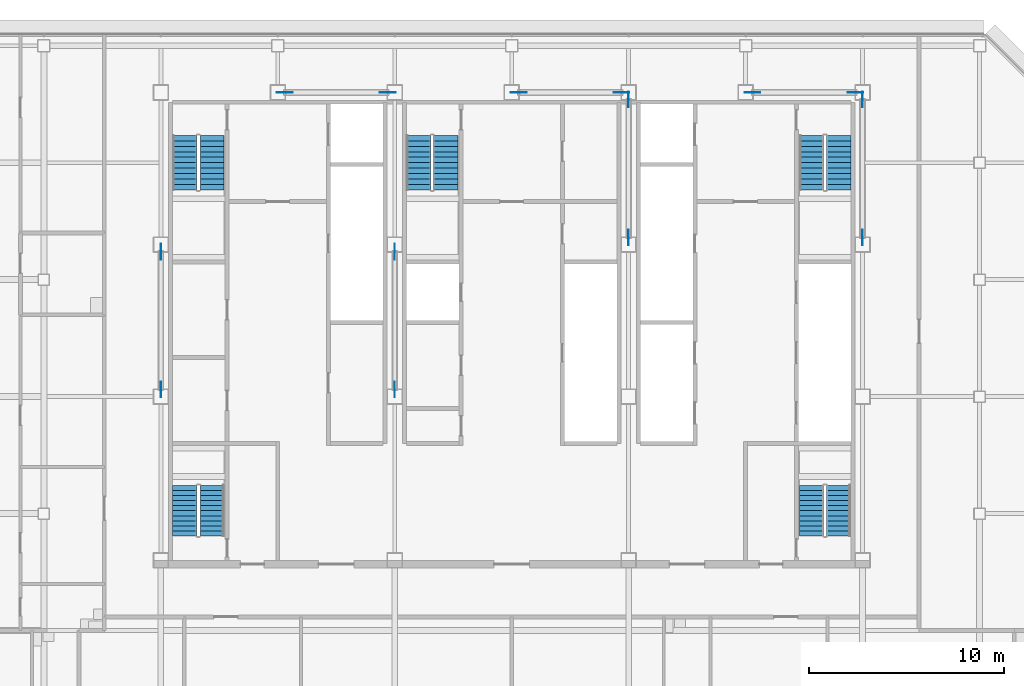
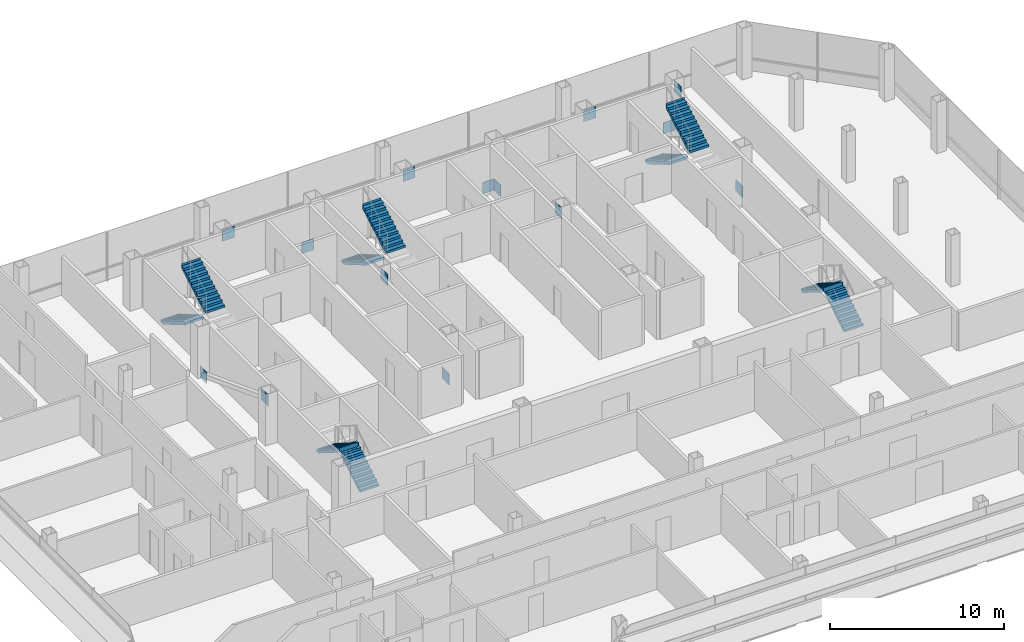
# One storey, part 24 of 26: 14 discrete accessories, 10 stair flights, 5 elements without a shape of their own.
"""IFC4 building model written with IfcOpenShell, lengths in metres."""

from ifc_helpers import new_model, si_unit, direction, frame, origin, origin_2d, place, context, subcontext, project, spatial, polyline, rectangle, outline, extrude, material, layer, layer_set, type_object, element, aggregate, save


model = new_model("IFC4")

# Units and contexts
model_context = context("Model", 3, precision=1e-05, world=origin(), true_north=direction((0.0, 1.0)))
body_context = subcontext(model_context, "Body", "Model", "MODEL_VIEW")
ifc_project = project(units=[si_unit("LENGTHUNIT", "METRE"), si_unit("AREAUNIT", "SQUARE_METRE"), si_unit("VOLUMEUNIT", "CUBIC_METRE"), si_unit("PLANEANGLEUNIT", "RADIAN"), si_unit("MASSUNIT", "GRAM", prefix="KILO")], contexts=[model_context])

# Site, building, storey
site_placement = place(None, origin())
site = spatial("IfcSite", under=ifc_project, at=site_placement, CompositionType="ELEMENT")
building_placement = place(site_placement, origin())
building = spatial("IfcBuilding", under=site, at=building_placement, Name="Sorahane Residences", CompositionType="ELEMENT")
storey_placement = place(building_placement, frame((0.0, 0.0, 219.0)))
storey = spatial("IfcBuildingStorey", under=building, at=storey_placement, Name="L51", CompositionType="ELEMENT", Elevation=219.0)

# Stair, stair flights
ifc_material_1 = material(Name="Concrete C40", Category="concrete")
stair_type = type_object("IfcStairType", Name="Dog-leg stair 1250 Concrete C40", PredefinedType="HALF_TURN_STAIR", material=ifc_material_1)
stair_1_placement = place(storey_placement, origin())
stair_1 = element("IfcStair", 1, at=stair_1_placement, inside=storey, type_object=stair_type, Name="L51 Stair S1", PredefinedType="HALF_TURN_STAIR")
ifc_material_2 = material(Name="Concrete C40", Category="concrete")
stair_flight_type = type_object("IfcStairFlightType", Name="Stair flight 1250 Concrete C40", PredefinedType="STRAIGHT", material=ifc_material_2)
stair_flight_1_placement = place(storey_placement, frame((7.22509765625, 43.39990234375, 0.0), z_axis=(0.0, 0.0, 1.0), x_axis=(0.0, -1.0, 0.0)))
stair_flight_1 = element("IfcStairFlight", 2, at=stair_flight_1_placement, type_object=stair_flight_type, Name="S1 flight 1", NumberOfRisers=11, NumberOfTreads=10, PredefinedType="STRAIGHT", RiserHeight=0.163636364, TreadLength=0.28, context=body_context, shape_type="SweptSolid", body=[
    extrude(outline(polyline([(-0.00146484375, 0.0), (-0.00146484375, 0.16357421875), (0.0, 0.16357421875), (0.280029296875, 0.16357421875), (0.280029296875, 0.327392578125), (0.56005859375, 0.327392578125), (0.56005859375, 0.490966796875), (0.840087890625, 0.490966796875), (0.840087890625, 0.654541015625), (1.1201171875, 0.654541015625), (1.1201171875, 0.818115234375), (1.39990234375, 0.818115234375), (1.39990234375, 0.98193359375), (1.679931640625, 0.98193359375), (1.679931640625, 1.1455078125), (1.9599609375, 1.1455078125), (1.9599609375, 1.30908203125), (2.239990234375, 1.30908203125), (2.239990234375, 1.47265625), (2.52001953125, 1.47265625), (2.52001953125, 1.636474609375), (2.800048828125, 1.636474609375), (2.800048828125, 1.800048828125), (2.800048828125, 1.462646484375), (2.59130859375, 1.3408203125), (2.3828125, 1.218994140625), (2.17431640625, 1.09716796875), (1.965576171875, 0.97509765625), (1.757080078125, 0.853271484375), (1.548583984375, 0.7314453125), (1.340087890625, 0.609375), (1.13134765625, 0.487548828125), (0.9228515625, 0.36572265625), (0.71435546875, 0.243896484375), (0.505615234375, 0.121826171875), (0.297119140625, 0.0), (-0.00146484375, 0.0)])), frame((0.0, 0.625, 0.0), z_axis=(0.0, -1.0, 0.0), x_axis=(1.0, 0.0, 0.0)), (0.0, 0.0, 1.0), 1.25),
])
stair_flight_2_placement = place(storey_placement, frame((8.625, 40.60009765625, 1.800048828125), z_axis=(0.0, 0.0, 1.0), x_axis=(0.0, 1.0, 0.0)))
stair_flight_2 = element("IfcStairFlight", 3, at=stair_flight_2_placement, type_object=stair_flight_type, Name="S1 flight 2", NumberOfRisers=11, NumberOfTreads=10, PredefinedType="STRAIGHT", RiserHeight=0.163636364, TreadLength=0.28, context=body_context, shape_type="SweptSolid", body=[
    extrude(outline(polyline([(0.0, 0.0), (0.0, 0.16357421875), (0.280029296875, 0.16357421875), (0.280029296875, 0.327392578125), (0.56005859375, 0.327392578125), (0.56005859375, 0.490966796875), (0.840087890625, 0.490966796875), (0.840087890625, 0.654541015625), (1.1201171875, 0.654541015625), (1.1201171875, 0.818115234375), (1.39990234375, 0.818115234375), (1.39990234375, 0.98193359375), (1.679931640625, 0.98193359375), (1.679931640625, 1.1455078125), (1.9599609375, 1.1455078125), (1.9599609375, 1.30908203125), (2.239990234375, 1.30908203125), (2.239990234375, 1.47265625), (2.52001953125, 1.47265625), (2.52001953125, 1.636474609375), (2.800048828125, 1.636474609375), (2.800048828125, 1.800048828125), (2.801513671875, 1.800048828125), (2.801513671875, 1.462646484375), (2.5927734375, 1.3408203125), (2.384033203125, 1.218994140625), (2.17529296875, 1.09716796875), (1.966796875, 0.97509765625), (1.758056640625, 0.853271484375), (1.54931640625, 0.7314453125), (1.340576171875, 0.609375), (1.1318359375, 0.487548828125), (0.923095703125, 0.36572265625), (0.714599609375, 0.243896484375), (0.505859375, 0.121826171875), (0.297119140625, 0.0), (0.0, 0.0)])), frame((0.0, 0.625, 0.0), z_axis=(0.0, -1.0, 0.0), x_axis=(1.0, 0.0, 0.0)), (0.0, 0.0, 1.0), 1.25),
])
aggregate(stair_1, [stair_flight_1, stair_flight_2])

stair_2_placement = place(storey_placement, origin())
stair_2 = element("IfcStair", 4, at=stair_2_placement, inside=storey, type_object=stair_type, Name="L51 Stair S2", PredefinedType="HALF_TURN_STAIR")
stair_flight_3_placement = place(storey_placement, frame((39.375, 43.39990234375, 0.0), z_axis=(0.0, 0.0, 1.0), x_axis=(0.0, -1.0, 0.0)))
stair_flight_3 = element("IfcStairFlight", 5, at=stair_flight_3_placement, type_object=stair_flight_type, Name="S2 flight 1", NumberOfRisers=11, NumberOfTreads=10, PredefinedType="STRAIGHT", RiserHeight=0.163636364, TreadLength=0.28, context=body_context, shape_type="SweptSolid", body=[
    extrude(outline(polyline([(-0.00146484375, 0.0), (-0.00146484375, 0.16357421875), (0.0, 0.16357421875), (0.280029296875, 0.16357421875), (0.280029296875, 0.327392578125), (0.56005859375, 0.327392578125), (0.56005859375, 0.490966796875), (0.840087890625, 0.490966796875), (0.840087890625, 0.654541015625), (1.1201171875, 0.654541015625), (1.1201171875, 0.818115234375), (1.39990234375, 0.818115234375), (1.39990234375, 0.98193359375), (1.679931640625, 0.98193359375), (1.679931640625, 1.1455078125), (1.9599609375, 1.1455078125), (1.9599609375, 1.30908203125), (2.239990234375, 1.30908203125), (2.239990234375, 1.47265625), (2.52001953125, 1.47265625), (2.52001953125, 1.636474609375), (2.800048828125, 1.636474609375), (2.800048828125, 1.800048828125), (2.800048828125, 1.462646484375), (2.59130859375, 1.3408203125), (2.3828125, 1.218994140625), (2.17431640625, 1.09716796875), (1.965576171875, 0.97509765625), (1.757080078125, 0.853271484375), (1.548583984375, 0.7314453125), (1.340087890625, 0.609375), (1.13134765625, 0.487548828125), (0.9228515625, 0.36572265625), (0.71435546875, 0.243896484375), (0.505615234375, 0.121826171875), (0.297119140625, 0.0), (-0.00146484375, 0.0)])), frame((0.0, 0.625, 0.0), z_axis=(0.0, -1.0, 0.0), x_axis=(1.0, 0.0, 0.0)), (0.0, 0.0, 1.0), 1.25),
])
stair_flight_4_placement = place(storey_placement, frame((40.77490234375, 40.60009765625, 1.800048828125), z_axis=(0.0, 0.0, 1.0), x_axis=(0.0, 1.0, 0.0)))
stair_flight_4 = element("IfcStairFlight", 6, at=stair_flight_4_placement, type_object=stair_flight_type, Name="S2 flight 2", NumberOfRisers=11, NumberOfTreads=10, PredefinedType="STRAIGHT", RiserHeight=0.163636364, TreadLength=0.28, context=body_context, shape_type="SweptSolid", body=[
    extrude(outline(polyline([(0.0, 0.0), (0.0, 0.16357421875), (0.280029296875, 0.16357421875), (0.280029296875, 0.327392578125), (0.56005859375, 0.327392578125), (0.56005859375, 0.490966796875), (0.840087890625, 0.490966796875), (0.840087890625, 0.654541015625), (1.1201171875, 0.654541015625), (1.1201171875, 0.818115234375), (1.39990234375, 0.818115234375), (1.39990234375, 0.98193359375), (1.679931640625, 0.98193359375), (1.679931640625, 1.1455078125), (1.9599609375, 1.1455078125), (1.9599609375, 1.30908203125), (2.239990234375, 1.30908203125), (2.239990234375, 1.47265625), (2.52001953125, 1.47265625), (2.52001953125, 1.636474609375), (2.800048828125, 1.636474609375), (2.800048828125, 1.800048828125), (2.801513671875, 1.800048828125), (2.801513671875, 1.462646484375), (2.5927734375, 1.3408203125), (2.384033203125, 1.218994140625), (2.17529296875, 1.09716796875), (1.966796875, 0.97509765625), (1.758056640625, 0.853271484375), (1.54931640625, 0.7314453125), (1.340576171875, 0.609375), (1.1318359375, 0.487548828125), (0.923095703125, 0.36572265625), (0.714599609375, 0.243896484375), (0.505859375, 0.121826171875), (0.297119140625, 0.0), (0.0, 0.0)])), frame((0.0, 0.625, 0.0), z_axis=(0.0, -1.0, 0.0), x_axis=(1.0, 0.0, 0.0)), (0.0, 0.0, 1.0), 1.25),
])
aggregate(stair_2, [stair_flight_3, stair_flight_4])

stair_3_placement = place(storey_placement, origin())
stair_3 = element("IfcStair", 7, at=stair_3_placement, inside=storey, type_object=stair_type, Name="L51 Stair S3", PredefinedType="HALF_TURN_STAIR")
stair_flight_5_placement = place(storey_placement, frame((19.22509765625, 43.39990234375, 0.0), z_axis=(0.0, 0.0, 1.0), x_axis=(0.0, -1.0, 0.0)))
stair_flight_5 = element("IfcStairFlight", 8, at=stair_flight_5_placement, type_object=stair_flight_type, Name="S3 flight 1", NumberOfRisers=11, NumberOfTreads=10, PredefinedType="STRAIGHT", RiserHeight=0.163636364, TreadLength=0.28, context=body_context, shape_type="SweptSolid", body=[
    extrude(outline(polyline([(-0.00146484375, 0.0), (-0.00146484375, 0.16357421875), (0.0, 0.16357421875), (0.280029296875, 0.16357421875), (0.280029296875, 0.327392578125), (0.56005859375, 0.327392578125), (0.56005859375, 0.490966796875), (0.840087890625, 0.490966796875), (0.840087890625, 0.654541015625), (1.1201171875, 0.654541015625), (1.1201171875, 0.818115234375), (1.39990234375, 0.818115234375), (1.39990234375, 0.98193359375), (1.679931640625, 0.98193359375), (1.679931640625, 1.1455078125), (1.9599609375, 1.1455078125), (1.9599609375, 1.30908203125), (2.239990234375, 1.30908203125), (2.239990234375, 1.47265625), (2.52001953125, 1.47265625), (2.52001953125, 1.636474609375), (2.800048828125, 1.636474609375), (2.800048828125, 1.800048828125), (2.800048828125, 1.462646484375), (2.59130859375, 1.3408203125), (2.3828125, 1.218994140625), (2.17431640625, 1.09716796875), (1.965576171875, 0.97509765625), (1.757080078125, 0.853271484375), (1.548583984375, 0.7314453125), (1.340087890625, 0.609375), (1.13134765625, 0.487548828125), (0.9228515625, 0.36572265625), (0.71435546875, 0.243896484375), (0.505615234375, 0.121826171875), (0.297119140625, 0.0), (-0.00146484375, 0.0)])), frame((0.0, 0.625, 0.0), z_axis=(0.0, -1.0, 0.0), x_axis=(1.0, 0.0, 0.0)), (0.0, 0.0, 1.0), 1.25),
])
stair_flight_6_placement = place(storey_placement, frame((20.625, 40.60009765625, 1.800048828125), z_axis=(0.0, 0.0, 1.0), x_axis=(0.0, 1.0, 0.0)))
stair_flight_6 = element("IfcStairFlight", 9, at=stair_flight_6_placement, type_object=stair_flight_type, Name="S3 flight 2", NumberOfRisers=11, NumberOfTreads=10, PredefinedType="STRAIGHT", RiserHeight=0.163636364, TreadLength=0.28, context=body_context, shape_type="SweptSolid", body=[
    extrude(outline(polyline([(0.0, 0.0), (0.0, 0.16357421875), (0.280029296875, 0.16357421875), (0.280029296875, 0.327392578125), (0.56005859375, 0.327392578125), (0.56005859375, 0.490966796875), (0.840087890625, 0.490966796875), (0.840087890625, 0.654541015625), (1.1201171875, 0.654541015625), (1.1201171875, 0.818115234375), (1.39990234375, 0.818115234375), (1.39990234375, 0.98193359375), (1.679931640625, 0.98193359375), (1.679931640625, 1.1455078125), (1.9599609375, 1.1455078125), (1.9599609375, 1.30908203125), (2.239990234375, 1.30908203125), (2.239990234375, 1.47265625), (2.52001953125, 1.47265625), (2.52001953125, 1.636474609375), (2.800048828125, 1.636474609375), (2.800048828125, 1.800048828125), (2.801513671875, 1.800048828125), (2.801513671875, 1.462646484375), (2.5927734375, 1.3408203125), (2.384033203125, 1.218994140625), (2.17529296875, 1.09716796875), (1.966796875, 0.97509765625), (1.758056640625, 0.853271484375), (1.54931640625, 0.7314453125), (1.340576171875, 0.609375), (1.1318359375, 0.487548828125), (0.923095703125, 0.36572265625), (0.714599609375, 0.243896484375), (0.505859375, 0.121826171875), (0.297119140625, 0.0), (0.0, 0.0)])), frame((0.0, 0.625, 0.0), z_axis=(0.0, -1.0, 0.0), x_axis=(1.0, 0.0, 0.0)), (0.0, 0.0, 1.0), 1.25),
])
aggregate(stair_3, [stair_flight_5, stair_flight_6])

stair_4_placement = place(storey_placement, origin())
stair_4 = element("IfcStair", 10, at=stair_4_placement, inside=storey, type_object=stair_type, Name="L51 Stair S4", PredefinedType="HALF_TURN_STAIR")
stair_flight_7_placement = place(storey_placement, frame((8.625, 22.85009765625, 0.0), z_axis=(0.0, 0.0, 1.0), x_axis=(0.0, 1.0, 0.0)))
stair_flight_7 = element("IfcStairFlight", 11, at=stair_flight_7_placement, type_object=stair_flight_type, Name="S4 flight 1", NumberOfRisers=11, NumberOfTreads=10, PredefinedType="STRAIGHT", RiserHeight=0.163636364, TreadLength=0.26, context=body_context, shape_type="SweptSolid", body=[
    extrude(outline(polyline([(-0.00146484375, 0.0), (-0.00146484375, 0.16357421875), (0.0, 0.16357421875), (0.260009765625, 0.16357421875), (0.260009765625, 0.327392578125), (0.52001953125, 0.327392578125), (0.52001953125, 0.490966796875), (0.780029296875, 0.490966796875), (0.780029296875, 0.654541015625), (1.0400390625, 0.654541015625), (1.0400390625, 0.818115234375), (1.300048828125, 0.818115234375), (1.300048828125, 0.98193359375), (1.56005859375, 0.98193359375), (1.56005859375, 1.1455078125), (1.820068359375, 1.1455078125), (1.820068359375, 1.30908203125), (2.080078125, 1.30908203125), (2.080078125, 1.47265625), (2.340087890625, 1.47265625), (2.340087890625, 1.636474609375), (2.60009765625, 1.636474609375), (2.60009765625, 1.800048828125), (2.60009765625, 1.494384765625), (2.402099609375, 1.369873046875), (2.204345703125, 1.245361328125), (2.00634765625, 1.120849609375), (1.80859375, 0.996337890625), (1.610595703125, 0.871826171875), (1.412841796875, 0.747314453125), (1.21484375, 0.622802734375), (1.01708984375, 0.498046875), (0.819091796875, 0.37353515625), (0.621337890625, 0.2490234375), (0.42333984375, 0.12451171875), (0.2255859375, 0.0), (-0.00146484375, 0.0)])), frame((0.0, 0.625, 0.0), z_axis=(0.0, -1.0, 0.0), x_axis=(1.0, 0.0, 0.0)), (0.0, 0.0, 1.0), 1.25),
])
stair_flight_8_placement = place(storey_placement, frame((7.22509765625, 25.449951171875, 1.800048828125), z_axis=(0.0, 0.0, 1.0), x_axis=(0.0, -1.0, 0.0)))
stair_flight_8 = element("IfcStairFlight", 12, at=stair_flight_8_placement, type_object=stair_flight_type, Name="S4 flight 2", NumberOfRisers=11, NumberOfTreads=10, PredefinedType="STRAIGHT", RiserHeight=0.163636364, TreadLength=0.26, context=body_context, shape_type="SweptSolid", body=[
    extrude(outline(polyline([(0.0, 0.0), (0.0, 0.16357421875), (0.260009765625, 0.16357421875), (0.260009765625, 0.327392578125), (0.52001953125, 0.327392578125), (0.52001953125, 0.490966796875), (0.780029296875, 0.490966796875), (0.780029296875, 0.654541015625), (1.0400390625, 0.654541015625), (1.0400390625, 0.818115234375), (1.300048828125, 0.818115234375), (1.300048828125, 0.98193359375), (1.56005859375, 0.98193359375), (1.56005859375, 1.1455078125), (1.820068359375, 1.1455078125), (1.820068359375, 1.30908203125), (2.080078125, 1.30908203125), (2.080078125, 1.47265625), (2.340087890625, 1.47265625), (2.340087890625, 1.636474609375), (2.60009765625, 1.636474609375), (2.60009765625, 1.800048828125), (2.6015625, 1.800048828125), (2.6015625, 1.494384765625), (2.403564453125, 1.369873046875), (2.20556640625, 1.245361328125), (2.007568359375, 1.120849609375), (1.8095703125, 0.996337890625), (1.611572265625, 0.871826171875), (1.41357421875, 0.747314453125), (1.215576171875, 0.622802734375), (1.017578125, 0.498046875), (0.819580078125, 0.37353515625), (0.62158203125, 0.2490234375), (0.423583984375, 0.12451171875), (0.2255859375, 0.0), (0.0, 0.0)])), frame((0.0, 0.625, 0.0), z_axis=(0.0, -1.0, 0.0), x_axis=(1.0, 0.0, 0.0)), (0.0, 0.0, 1.0), 1.25),
])
aggregate(stair_4, [stair_flight_7, stair_flight_8])

stair_5_placement = place(storey_placement, origin())
stair_5 = element("IfcStair", 13, at=stair_5_placement, inside=storey, type_object=stair_type, Name="L51 Stair S5", PredefinedType="HALF_TURN_STAIR")
stair_flight_9_placement = place(storey_placement, frame((40.77490234375, 22.85009765625, 0.0), z_axis=(0.0, 0.0, 1.0), x_axis=(0.0, 1.0, 0.0)))
stair_flight_9 = element("IfcStairFlight", 14, at=stair_flight_9_placement, type_object=stair_flight_type, Name="S5 flight 1", NumberOfRisers=11, NumberOfTreads=10, PredefinedType="STRAIGHT", RiserHeight=0.163636364, TreadLength=0.26, context=body_context, shape_type="SweptSolid", body=[
    extrude(outline(polyline([(-0.00146484375, 0.0), (-0.00146484375, 0.16357421875), (0.0, 0.16357421875), (0.260009765625, 0.16357421875), (0.260009765625, 0.327392578125), (0.52001953125, 0.327392578125), (0.52001953125, 0.490966796875), (0.780029296875, 0.490966796875), (0.780029296875, 0.654541015625), (1.0400390625, 0.654541015625), (1.0400390625, 0.818115234375), (1.300048828125, 0.818115234375), (1.300048828125, 0.98193359375), (1.56005859375, 0.98193359375), (1.56005859375, 1.1455078125), (1.820068359375, 1.1455078125), (1.820068359375, 1.30908203125), (2.080078125, 1.30908203125), (2.080078125, 1.47265625), (2.340087890625, 1.47265625), (2.340087890625, 1.636474609375), (2.60009765625, 1.636474609375), (2.60009765625, 1.800048828125), (2.60009765625, 1.494384765625), (2.402099609375, 1.369873046875), (2.204345703125, 1.245361328125), (2.00634765625, 1.120849609375), (1.80859375, 0.996337890625), (1.610595703125, 0.871826171875), (1.412841796875, 0.747314453125), (1.21484375, 0.622802734375), (1.01708984375, 0.498046875), (0.819091796875, 0.37353515625), (0.621337890625, 0.2490234375), (0.42333984375, 0.12451171875), (0.2255859375, 0.0), (-0.00146484375, 0.0)])), frame((0.0, 0.625, 0.0), z_axis=(0.0, -1.0, 0.0), x_axis=(1.0, 0.0, 0.0)), (0.0, 0.0, 1.0), 1.25),
])
stair_flight_10_placement = place(storey_placement, frame((39.375, 25.449951171875, 1.800048828125), z_axis=(0.0, 0.0, 1.0), x_axis=(0.0, -1.0, 0.0)))
stair_flight_10 = element("IfcStairFlight", 15, at=stair_flight_10_placement, type_object=stair_flight_type, Name="S5 flight 2", NumberOfRisers=11, NumberOfTreads=10, PredefinedType="STRAIGHT", RiserHeight=0.163636364, TreadLength=0.26, context=body_context, shape_type="SweptSolid", body=[
    extrude(outline(polyline([(0.0, 0.0), (0.0, 0.16357421875), (0.260009765625, 0.16357421875), (0.260009765625, 0.327392578125), (0.52001953125, 0.327392578125), (0.52001953125, 0.490966796875), (0.780029296875, 0.490966796875), (0.780029296875, 0.654541015625), (1.0400390625, 0.654541015625), (1.0400390625, 0.818115234375), (1.300048828125, 0.818115234375), (1.300048828125, 0.98193359375), (1.56005859375, 0.98193359375), (1.56005859375, 1.1455078125), (1.820068359375, 1.1455078125), (1.820068359375, 1.30908203125), (2.080078125, 1.30908203125), (2.080078125, 1.47265625), (2.340087890625, 1.47265625), (2.340087890625, 1.636474609375), (2.60009765625, 1.636474609375), (2.60009765625, 1.800048828125), (2.6015625, 1.800048828125), (2.6015625, 1.494384765625), (2.403564453125, 1.369873046875), (2.20556640625, 1.245361328125), (2.007568359375, 1.120849609375), (1.8095703125, 0.996337890625), (1.611572265625, 0.871826171875), (1.41357421875, 0.747314453125), (1.215576171875, 0.622802734375), (1.017578125, 0.498046875), (0.819580078125, 0.37353515625), (0.62158203125, 0.2490234375), (0.423583984375, 0.12451171875), (0.2255859375, 0.0), (0.0, 0.0)])), frame((0.0, 0.625, 0.0), z_axis=(0.0, -1.0, 0.0), x_axis=(1.0, 0.0, 0.0)), (0.0, 0.0, 1.0), 1.25),
])
aggregate(stair_5, [stair_flight_9, stair_flight_10])

# Discrete accessories
ifc_material_3 = material(Name="Steel Q355B", Category="steel")
ifc_layer = layer(ifc_material_3, 0.02490234375)
ifc_layer_set = layer_set([ifc_layer], Name="Node plate Steel Q355B 25")
discrete_accessory_type = type_object("IfcDiscreteAccessoryType", Name="Node plate Steel Q355B 25", PredefinedType="BRACKET", material=ifc_layer_set)
for number, where, z_axis, x_axis, name in (
    (16, (6.0, 37.43212890625, -0.26220703125), (0.0, 0.0, 1.0), (0.0, 1.0, 0.0), "Node plate L51 br"),
    (17, (6.0, 30.367919921875, 2.43212890625), (0.0, 0.0, 1.0), (0.0, 1.0, 0.0), "Node plate L51 br"),
    (18, (18.0, 30.367919921875, -0.26220703125), (0.0, 0.0, 1.0), (0.0, 1.0, 0.0), "Node plate L51 br"),
    (19, (18.0, 37.43212890625, 2.43212890625), (0.0, 0.0, 1.0), (0.0, 1.0, 0.0), "Node plate L51 br"),
    (20, (30.0, 45.232177734375, -0.26220703125), (0.0, 0.0, 1.0), (0.0, 1.0, 0.0), "Node plate L51 br"),
    (21, (30.0, 38.16796875, 2.43212890625), (0.0, 0.0, 1.0), (0.0, 1.0, 0.0), "Node plate L51 br"),
    (22, (42.0, 38.16796875, -0.26220703125), (0.0, 0.0, 1.0), (0.0, 1.0, 0.0), "Node plate L51 br"),
    (23, (42.0, 45.232177734375, 2.43212890625), (0.0, 0.0, 1.0), (0.0, 1.0, 0.0), "Node plate L51 br"),
    (24, (17.64111328125, 45.60009765625, -0.27099609375), (0.0, 0.0, 1.0), (1.0, 0.0, 0.0), "Node plate L51 br"),
    (25, (29.64111328125, 45.60009765625, -0.27099609375), (0.0, 0.0, 1.0), (1.0, 0.0, 0.0), "Node plate L51 br"),
    (26, (41.64111328125, 45.60009765625, -0.27099609375), (0.0, 0.0, 1.0), (1.0, 0.0, 0.0), "Node plate L51 br"),
    (27, (12.35888671875, 45.60009765625, 2.44091796875), (0.0, 0.0, 1.0), (1.0, 0.0, 0.0), "Node plate L51 br"),
    (28, (24.35888671875, 45.60009765625, 2.44091796875), (0.0, 0.0, 1.0), (1.0, 0.0, 0.0), "Node plate L51 br"),
    (29, (36.35888671875, 45.60009765625, 2.44091796875), (0.0, 0.0, 1.0), (1.0, 0.0, 0.0), "Node plate L51 br"),
):
    element("IfcDiscreteAccessory", number, at=place(storey_placement, frame(where, z_axis=z_axis, x_axis=x_axis)), inside=storey, type_object=discrete_accessory_type, Name=name, PredefinedType="BRACKET", context=body_context, shape_type="SweptSolid", body=[
        extrude(rectangle(XDim=0.800048828125, YDim=0.02490234375, at=origin_2d()), origin(), (0.0, 0.0, 1.0), 0.800048828125),
    ])

save(model, "model.ifc")
